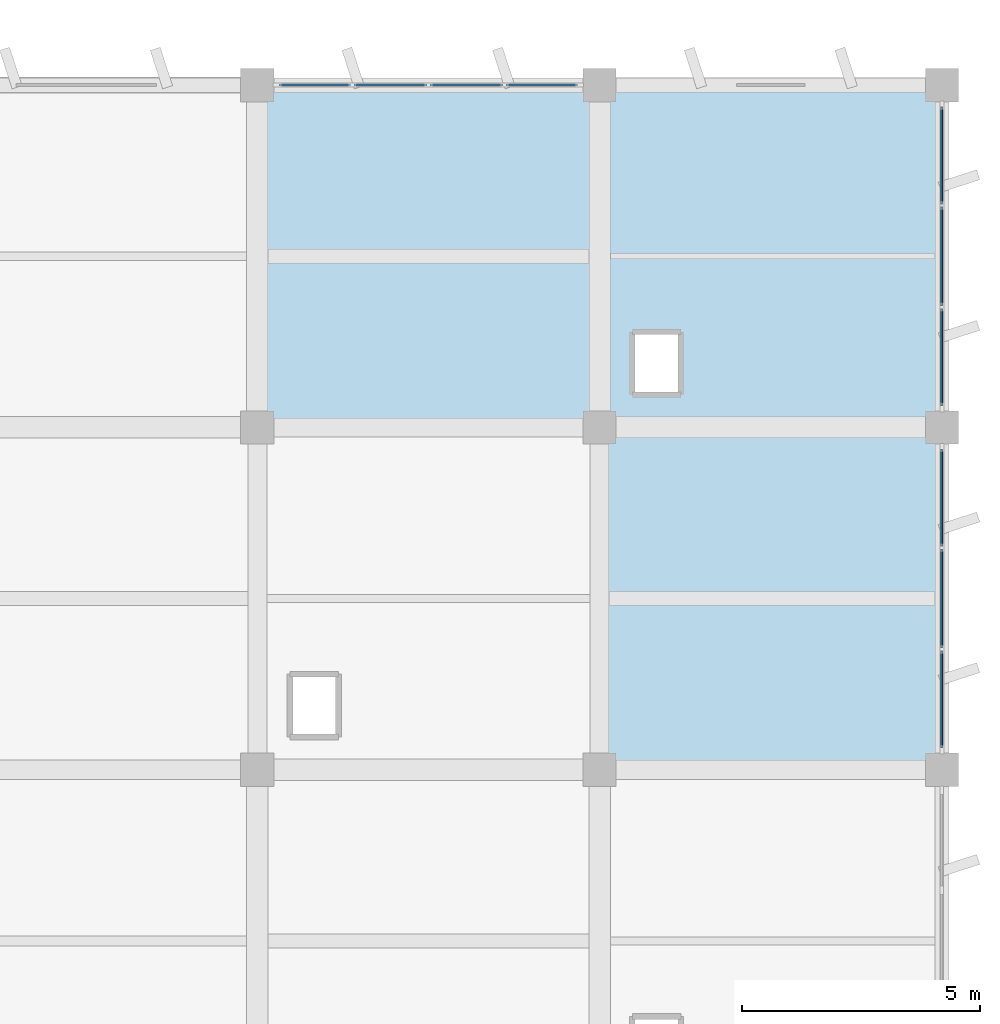
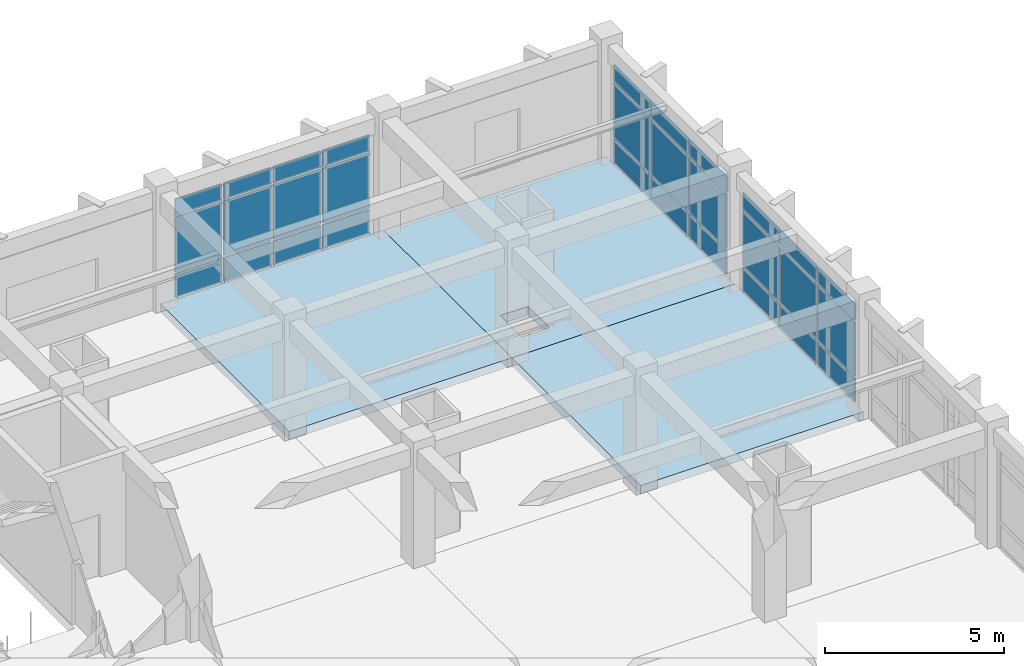
# One storey, part 45 of 70: 30 plates, 3 slabs, 3 elements without a shape of their own.
"""IFC4 building model written with IfcOpenShell, lengths in metres."""

from ifc_helpers import new_model, si_unit, direction, frame, origin, origin_2d, place, context, subcontext, project, spatial, polyline, rectangle, outline, extrude, material, layer, layer_set, type_object, element, aggregate, save


model = new_model("IFC4")

# Units and contexts
model_context = context("Model", 3, precision=1e-05, world=origin(), true_north=direction((0.0, 1.0)))
body_context = subcontext(model_context, "Body", "Model", "MODEL_VIEW")
ifc_project = project(units=[si_unit("LENGTHUNIT", "METRE"), si_unit("AREAUNIT", "SQUARE_METRE"), si_unit("VOLUMEUNIT", "CUBIC_METRE"), si_unit("PLANEANGLEUNIT", "RADIAN"), si_unit("MASSUNIT", "GRAM", prefix="KILO")], contexts=[model_context])

# Site, building, storey
site_placement = place(None, origin())
site = spatial("IfcSite", under=ifc_project, at=site_placement, CompositionType="ELEMENT")
building_placement = place(site_placement, origin())
building = spatial("IfcBuilding", under=site, at=building_placement, Name="Kavelor Marine Aquarium", CompositionType="ELEMENT")
storey_placement = place(building_placement, frame((0.0, 0.0, 9.179931640625)))
storey = spatial("IfcBuildingStorey", under=building, at=storey_placement, Name="L02", CompositionType="ELEMENT", Elevation=9.179931640625)

# Curtain wall, plates
ifc_material_1 = material(Name="Thermally Broken Aluminium and Low-E Glass", Category="aluminium")
ifc_layer_1 = layer(ifc_material_1, 0.300048828125)
ifc_layer_set_1 = layer_set([ifc_layer_1], Name="CW-SYS20")
curtain_wall_type_1 = type_object("IfcCurtainWallType", Name="CW-SYS20", PredefinedType="USERDEFINED", material=ifc_layer_set_1)
curtain_wall_1_placement = place(storey_placement, origin())
curtain_wall_1 = element("IfcCurtainWall", 1, at=curtain_wall_1_placement, inside=storey, type_object=curtain_wall_type_1, Name="cw:y:L02:21_13", ObjectType="Curtain Wall", PredefinedType="USERDEFINED")
ifc_material_2 = material(Name="Solar-Control Double Low-E Glazing", Category="glass")
ifc_layer_2 = layer(ifc_material_2, 0.0400390625)
ifc_layer_set_2 = layer_set([ifc_layer_2], Name="CWP-08")
plate_type_1 = type_object("IfcPlateType", Name="CWP-08", PredefinedType="CURTAIN_PANEL", material=ifc_layer_set_2)
plate_1_placement = place(storey_placement, frame((154.39990234375, 97.879638671875, 0.06494140625), z_axis=(0.0, 0.0, 1.0), x_axis=(0.0, 1.0, 0.0)))
plate_1 = element("IfcPlate", 2, at=plate_1_placement, type_object=plate_type_1, Name="CW20 panel 1.1", PredefinedType="CURTAIN_PANEL", context=body_context, shape_type="SweptSolid", body=[
    extrude(rectangle(XDim=2.0390625, YDim=0.0400390625, at=origin_2d()), origin(), (0.0, 0.0, 1.0), 0.802490234375),
])
plate_2_placement = place(storey_placement, frame((154.39990234375, 97.879638671875, 0.9326171875), z_axis=(0.0, 0.0, 1.0), x_axis=(0.0, 1.0, 0.0)))
plate_2 = element("IfcPlate", 3, at=plate_2_placement, type_object=plate_type_1, Name="CW20 panel 1.2", PredefinedType="CURTAIN_PANEL", context=body_context, shape_type="SweptSolid", body=[
    extrude(rectangle(XDim=2.0390625, YDim=0.0400390625, at=origin_2d()), origin(), (0.0, 0.0, 1.0), 1.864990234375),
])
plate_3_placement = place(storey_placement, frame((154.39990234375, 97.879638671875, 2.86279296875), z_axis=(0.0, 0.0, 1.0), x_axis=(0.0, 1.0, 0.0)))
plate_3 = element("IfcPlate", 4, at=plate_3_placement, type_object=plate_type_1, Name="CW20 panel 1.3", PredefinedType="CURTAIN_PANEL", context=body_context, shape_type="SweptSolid", body=[
    extrude(rectangle(XDim=2.0390625, YDim=0.0400390625, at=origin_2d()), origin(), (0.0, 0.0, 1.0), 0.552490234375),
])
plate_4_placement = place(storey_placement, frame((154.39990234375, 100.0, 0.06494140625), z_axis=(0.0, 0.0, 1.0), x_axis=(0.0, 1.0, 0.0)))
plate_4 = element("IfcPlate", 5, at=plate_4_placement, type_object=plate_type_1, Name="CW20 panel 2.1", PredefinedType="CURTAIN_PANEL", context=body_context, shape_type="SweptSolid", body=[
    extrude(rectangle(XDim=2.07177734375, YDim=0.0400390625, at=origin_2d()), origin(), (0.0, 0.0, 1.0), 0.802490234375),
])
plate_5_placement = place(storey_placement, frame((154.39990234375, 100.0, 0.9326171875), z_axis=(0.0, 0.0, 1.0), x_axis=(0.0, 1.0, 0.0)))
plate_5 = element("IfcPlate", 6, at=plate_5_placement, type_object=plate_type_1, Name="CW20 panel 2.2", PredefinedType="CURTAIN_PANEL", context=body_context, shape_type="SweptSolid", body=[
    extrude(rectangle(XDim=2.07177734375, YDim=0.0400390625, at=origin_2d()), origin(), (0.0, 0.0, 1.0), 1.864990234375),
])
plate_6_placement = place(storey_placement, frame((154.39990234375, 100.0, 2.86279296875), z_axis=(0.0, 0.0, 1.0), x_axis=(0.0, 1.0, 0.0)))
plate_6 = element("IfcPlate", 7, at=plate_6_placement, type_object=plate_type_1, Name="CW20 panel 2.3", PredefinedType="CURTAIN_PANEL", context=body_context, shape_type="SweptSolid", body=[
    extrude(rectangle(XDim=2.07177734375, YDim=0.0400390625, at=origin_2d()), origin(), (0.0, 0.0, 1.0), 0.552490234375),
])
plate_7_placement = place(storey_placement, frame((154.39990234375, 102.120361328125, 0.06494140625), z_axis=(0.0, 0.0, 1.0), x_axis=(0.0, 1.0, 0.0)))
plate_7 = element("IfcPlate", 8, at=plate_7_placement, type_object=plate_type_1, Name="CW20 panel 3.1", PredefinedType="CURTAIN_PANEL", context=body_context, shape_type="SweptSolid", body=[
    extrude(rectangle(XDim=2.0390625, YDim=0.0400390625, at=origin_2d()), origin(), (0.0, 0.0, 1.0), 0.802490234375),
])
plate_8_placement = place(storey_placement, frame((154.39990234375, 102.120361328125, 0.9326171875), z_axis=(0.0, 0.0, 1.0), x_axis=(0.0, 1.0, 0.0)))
plate_8 = element("IfcPlate", 9, at=plate_8_placement, type_object=plate_type_1, Name="CW20 panel 3.2", PredefinedType="CURTAIN_PANEL", context=body_context, shape_type="SweptSolid", body=[
    extrude(rectangle(XDim=2.0390625, YDim=0.0400390625, at=origin_2d()), origin(), (0.0, 0.0, 1.0), 1.864990234375),
])
plate_9_placement = place(storey_placement, frame((154.39990234375, 102.120361328125, 2.86279296875), z_axis=(0.0, 0.0, 1.0), x_axis=(0.0, 1.0, 0.0)))
plate_9 = element("IfcPlate", 10, at=plate_9_placement, type_object=plate_type_1, Name="CW20 panel 3.3", PredefinedType="CURTAIN_PANEL", context=body_context, shape_type="SweptSolid", body=[
    extrude(rectangle(XDim=2.0390625, YDim=0.0400390625, at=origin_2d()), origin(), (0.0, 0.0, 1.0), 0.552490234375),
])
aggregate(curtain_wall_1, [plate_1, plate_2, plate_3, plate_4, plate_5, plate_6, plate_7, plate_8, plate_9])

ifc_material_3 = material(Name="Thermally Broken Aluminium and Low-E Glass", Category="aluminium")
ifc_layer_3 = layer(ifc_material_3, 0.30810546875)
ifc_layer_set_3 = layer_set([ifc_layer_3], Name="CW-SYS21")
curtain_wall_type_2 = type_object("IfcCurtainWallType", Name="CW-SYS21", PredefinedType="USERDEFINED", material=ifc_layer_set_3)
curtain_wall_2_placement = place(storey_placement, origin())
curtain_wall_2 = element("IfcCurtainWall", 11, at=curtain_wall_2_placement, inside=storey, type_object=curtain_wall_type_2, Name="cw:y:L02:21_14", ObjectType="Curtain Wall", PredefinedType="USERDEFINED")
ifc_material_4 = material(Name="Solar-Control Double Low-E Glazing", Category="glass")
ifc_layer_4 = layer(ifc_material_4, 0.0419921875)
ifc_layer_set_4 = layer_set([ifc_layer_4], Name="CWP-09")
plate_type_2 = type_object("IfcPlateType", Name="CWP-09", PredefinedType="CURTAIN_PANEL", material=ifc_layer_set_4)
plate_10_placement = place(storey_placement, frame((154.39990234375, 105.078369140625, 0.06494140625), z_axis=(0.0, 0.0, 1.0), x_axis=(0.0, 1.0, 0.0)))
plate_10 = element("IfcPlate", 12, at=plate_10_placement, type_object=plate_type_2, Name="CW21 panel 1.1", PredefinedType="CURTAIN_PANEL", context=body_context, shape_type="SweptSolid", body=[
    extrude(rectangle(XDim=2.046630859375, YDim=0.0419921875, at=origin_2d()), origin(), (0.0, 0.0, 1.0), 0.802490234375),
])
plate_11_placement = place(storey_placement, frame((154.39990234375, 105.078369140625, 0.9326171875), z_axis=(0.0, 0.0, 1.0), x_axis=(0.0, 1.0, 0.0)))
plate_11 = element("IfcPlate", 13, at=plate_11_placement, type_object=plate_type_2, Name="CW21 panel 1.2", PredefinedType="CURTAIN_PANEL", context=body_context, shape_type="SweptSolid", body=[
    extrude(rectangle(XDim=2.046630859375, YDim=0.0419921875, at=origin_2d()), origin(), (0.0, 0.0, 1.0), 1.864990234375),
])
plate_12_placement = place(storey_placement, frame((154.39990234375, 105.078369140625, 2.86279296875), z_axis=(0.0, 0.0, 1.0), x_axis=(0.0, 1.0, 0.0)))
plate_12 = element("IfcPlate", 14, at=plate_12_placement, type_object=plate_type_2, Name="CW21 panel 1.3", PredefinedType="CURTAIN_PANEL", context=body_context, shape_type="SweptSolid", body=[
    extrude(rectangle(XDim=2.046630859375, YDim=0.0419921875, at=origin_2d()), origin(), (0.0, 0.0, 1.0), 0.552490234375),
])
plate_13_placement = place(storey_placement, frame((154.39990234375, 107.199951171875, 0.06494140625), z_axis=(0.0, 0.0, 1.0), x_axis=(0.0, 1.0, 0.0)))
plate_13 = element("IfcPlate", 15, at=plate_13_placement, type_object=plate_type_2, Name="CW21 panel 2.1", PredefinedType="CURTAIN_PANEL", context=body_context, shape_type="SweptSolid", body=[
    extrude(rectangle(XDim=2.07666015625, YDim=0.0419921875, at=origin_2d()), origin(), (0.0, 0.0, 1.0), 0.802490234375),
])
plate_14_placement = place(storey_placement, frame((154.39990234375, 107.199951171875, 0.9326171875), z_axis=(0.0, 0.0, 1.0), x_axis=(0.0, 1.0, 0.0)))
plate_14 = element("IfcPlate", 16, at=plate_14_placement, type_object=plate_type_2, Name="CW21 panel 2.2", PredefinedType="CURTAIN_PANEL", context=body_context, shape_type="SweptSolid", body=[
    extrude(rectangle(XDim=2.07666015625, YDim=0.0419921875, at=origin_2d()), origin(), (0.0, 0.0, 1.0), 1.864990234375),
])
plate_15_placement = place(storey_placement, frame((154.39990234375, 107.199951171875, 2.86279296875), z_axis=(0.0, 0.0, 1.0), x_axis=(0.0, 1.0, 0.0)))
plate_15 = element("IfcPlate", 17, at=plate_15_placement, type_object=plate_type_2, Name="CW21 panel 2.3", PredefinedType="CURTAIN_PANEL", context=body_context, shape_type="SweptSolid", body=[
    extrude(rectangle(XDim=2.07666015625, YDim=0.0419921875, at=origin_2d()), origin(), (0.0, 0.0, 1.0), 0.552490234375),
])
plate_16_placement = place(storey_placement, frame((154.39990234375, 109.32177734375, 0.06494140625), z_axis=(0.0, 0.0, 1.0), x_axis=(0.0, 1.0, 0.0)))
plate_16 = element("IfcPlate", 18, at=plate_16_placement, type_object=plate_type_2, Name="CW21 panel 3.1", PredefinedType="CURTAIN_PANEL", context=body_context, shape_type="SweptSolid", body=[
    extrude(rectangle(XDim=2.046630859375, YDim=0.0419921875, at=origin_2d()), origin(), (0.0, 0.0, 1.0), 0.802490234375),
])
plate_17_placement = place(storey_placement, frame((154.39990234375, 109.32177734375, 0.9326171875), z_axis=(0.0, 0.0, 1.0), x_axis=(0.0, 1.0, 0.0)))
plate_17 = element("IfcPlate", 19, at=plate_17_placement, type_object=plate_type_2, Name="CW21 panel 3.2", PredefinedType="CURTAIN_PANEL", context=body_context, shape_type="SweptSolid", body=[
    extrude(rectangle(XDim=2.046630859375, YDim=0.0419921875, at=origin_2d()), origin(), (0.0, 0.0, 1.0), 1.864990234375),
])
plate_18_placement = place(storey_placement, frame((154.39990234375, 109.32177734375, 2.86279296875), z_axis=(0.0, 0.0, 1.0), x_axis=(0.0, 1.0, 0.0)))
plate_18 = element("IfcPlate", 20, at=plate_18_placement, type_object=plate_type_2, Name="CW21 panel 3.3", PredefinedType="CURTAIN_PANEL", context=body_context, shape_type="SweptSolid", body=[
    extrude(rectangle(XDim=2.046630859375, YDim=0.0419921875, at=origin_2d()), origin(), (0.0, 0.0, 1.0), 0.552490234375),
])
aggregate(curtain_wall_2, [plate_10, plate_11, plate_12, plate_13, plate_14, plate_15, plate_16, plate_17, plate_18])

ifc_material_5 = material(Name="Thermally Broken Aluminium and Low-E Glass", Category="aluminium")
ifc_layer_5 = layer(ifc_material_5, 0.22802734375)
ifc_layer_set_5 = layer_set([ifc_layer_5], Name="CW-SYS11")
curtain_wall_type_3 = type_object("IfcCurtainWallType", Name="CW-SYS11", PredefinedType="USERDEFINED", material=ifc_layer_set_5)
curtain_wall_3_placement = place(storey_placement, origin())
curtain_wall_3 = element("IfcCurtainWall", 21, at=curtain_wall_3_placement, inside=storey, type_object=curtain_wall_type_3, Name="cw:x:L02:19_15", ObjectType="Curtain Wall", PredefinedType="USERDEFINED")
ifc_material_6 = material(Name="Solar-Control Double Low-E Glazing", Category="glass")
ifc_layer_6 = layer(ifc_material_6, 0.0458984375)
ifc_layer_set_6 = layer_set([ifc_layer_6], Name="CWP-11")
plate_type_3 = type_object("IfcPlateType", Name="CWP-11", PredefinedType="CURTAIN_PANEL", material=ifc_layer_set_6)
plate_19_placement = place(storey_placement, frame((141.21240234375, 110.800048828125, 0.06005859375), z_axis=(0.0, 0.0, 1.0), x_axis=(1.0, 0.0, 0.0)))
plate_19 = element("IfcPlate", 22, at=plate_19_placement, type_object=plate_type_3, Name="CW11 panel 1.1", PredefinedType="CURTAIN_PANEL", context=body_context, shape_type="SweptSolid", body=[
    extrude(rectangle(XDim=1.5048828125, YDim=0.0458984375, at=origin_2d()), origin(), (0.0, 0.0, 1.0), 0.81005859375),
])
plate_20_placement = place(storey_placement, frame((141.21240234375, 110.800048828125, 0.929931640625), z_axis=(0.0, 0.0, 1.0), x_axis=(1.0, 0.0, 0.0)))
plate_20 = element("IfcPlate", 23, at=plate_20_placement, type_object=plate_type_3, Name="CW11 panel 1.2", PredefinedType="CURTAIN_PANEL", context=body_context, shape_type="SweptSolid", body=[
    extrude(rectangle(XDim=1.5048828125, YDim=0.0458984375, at=origin_2d()), origin(), (0.0, 0.0, 1.0), 1.8701171875),
])
plate_21_placement = place(storey_placement, frame((141.21240234375, 110.800048828125, 2.860107421875), z_axis=(0.0, 0.0, 1.0), x_axis=(1.0, 0.0, 0.0)))
plate_21 = element("IfcPlate", 24, at=plate_21_placement, type_object=plate_type_3, Name="CW11 panel 1.3", PredefinedType="CURTAIN_PANEL", context=body_context, shape_type="SweptSolid", body=[
    extrude(rectangle(XDim=1.5048828125, YDim=0.0458984375, at=origin_2d()), origin(), (0.0, 0.0, 1.0), 0.56005859375),
])
plate_22_placement = place(storey_placement, frame((142.798828125, 110.800048828125, 0.06005859375), z_axis=(0.0, 0.0, 1.0), x_axis=(1.0, 0.0, 0.0)))
plate_22 = element("IfcPlate", 25, at=plate_22_placement, type_object=plate_type_3, Name="CW11 panel 2.1", PredefinedType="CURTAIN_PANEL", context=body_context, shape_type="SweptSolid", body=[
    extrude(rectangle(XDim=1.53759765625, YDim=0.0458984375, at=origin_2d()), origin(), (0.0, 0.0, 1.0), 0.81005859375),
])
plate_23_placement = place(storey_placement, frame((142.798828125, 110.800048828125, 0.929931640625), z_axis=(0.0, 0.0, 1.0), x_axis=(1.0, 0.0, 0.0)))
plate_23 = element("IfcPlate", 26, at=plate_23_placement, type_object=plate_type_3, Name="CW11 panel 2.2", PredefinedType="CURTAIN_PANEL", context=body_context, shape_type="SweptSolid", body=[
    extrude(rectangle(XDim=1.53759765625, YDim=0.0458984375, at=origin_2d()), origin(), (0.0, 0.0, 1.0), 1.8701171875),
])
plate_24_placement = place(storey_placement, frame((142.798828125, 110.800048828125, 2.860107421875), z_axis=(0.0, 0.0, 1.0), x_axis=(1.0, 0.0, 0.0)))
plate_24 = element("IfcPlate", 27, at=plate_24_placement, type_object=plate_type_3, Name="CW11 panel 2.3", PredefinedType="CURTAIN_PANEL", context=body_context, shape_type="SweptSolid", body=[
    extrude(rectangle(XDim=1.53759765625, YDim=0.0458984375, at=origin_2d()), origin(), (0.0, 0.0, 1.0), 0.56005859375),
])
plate_25_placement = place(storey_placement, frame((144.4013671875, 110.800048828125, 0.06005859375), z_axis=(0.0, 0.0, 1.0), x_axis=(1.0, 0.0, 0.0)))
plate_25 = element("IfcPlate", 28, at=plate_25_placement, type_object=plate_type_3, Name="CW11 panel 3.1", PredefinedType="CURTAIN_PANEL", context=body_context, shape_type="SweptSolid", body=[
    extrude(rectangle(XDim=1.53759765625, YDim=0.0458984375, at=origin_2d()), origin(), (0.0, 0.0, 1.0), 0.81005859375),
])
plate_26_placement = place(storey_placement, frame((144.4013671875, 110.800048828125, 0.929931640625), z_axis=(0.0, 0.0, 1.0), x_axis=(1.0, 0.0, 0.0)))
plate_26 = element("IfcPlate", 29, at=plate_26_placement, type_object=plate_type_3, Name="CW11 panel 3.2", PredefinedType="CURTAIN_PANEL", context=body_context, shape_type="SweptSolid", body=[
    extrude(rectangle(XDim=1.53759765625, YDim=0.0458984375, at=origin_2d()), origin(), (0.0, 0.0, 1.0), 1.8701171875),
])
plate_27_placement = place(storey_placement, frame((144.4013671875, 110.800048828125, 2.860107421875), z_axis=(0.0, 0.0, 1.0), x_axis=(1.0, 0.0, 0.0)))
plate_27 = element("IfcPlate", 30, at=plate_27_placement, type_object=plate_type_3, Name="CW11 panel 3.3", PredefinedType="CURTAIN_PANEL", context=body_context, shape_type="SweptSolid", body=[
    extrude(rectangle(XDim=1.53759765625, YDim=0.0458984375, at=origin_2d()), origin(), (0.0, 0.0, 1.0), 0.56005859375),
])
plate_28_placement = place(storey_placement, frame((145.987548828125, 110.800048828125, 0.06005859375), z_axis=(0.0, 0.0, 1.0), x_axis=(1.0, 0.0, 0.0)))
plate_28 = element("IfcPlate", 31, at=plate_28_placement, type_object=plate_type_3, Name="CW11 panel 4.1", PredefinedType="CURTAIN_PANEL", context=body_context, shape_type="SweptSolid", body=[
    extrude(rectangle(XDim=1.5048828125, YDim=0.0458984375, at=origin_2d()), origin(), (0.0, 0.0, 1.0), 0.81005859375),
])
plate_29_placement = place(storey_placement, frame((145.987548828125, 110.800048828125, 0.929931640625), z_axis=(0.0, 0.0, 1.0), x_axis=(1.0, 0.0, 0.0)))
plate_29 = element("IfcPlate", 32, at=plate_29_placement, type_object=plate_type_3, Name="CW11 panel 4.2", PredefinedType="CURTAIN_PANEL", context=body_context, shape_type="SweptSolid", body=[
    extrude(rectangle(XDim=1.5048828125, YDim=0.0458984375, at=origin_2d()), origin(), (0.0, 0.0, 1.0), 1.8701171875),
])
plate_30_placement = place(storey_placement, frame((145.987548828125, 110.800048828125, 2.860107421875), z_axis=(0.0, 0.0, 1.0), x_axis=(1.0, 0.0, 0.0)))
plate_30 = element("IfcPlate", 33, at=plate_30_placement, type_object=plate_type_3, Name="CW11 panel 4.3", PredefinedType="CURTAIN_PANEL", context=body_context, shape_type="SweptSolid", body=[
    extrude(rectangle(XDim=1.5048828125, YDim=0.0458984375, at=origin_2d()), origin(), (0.0, 0.0, 1.0), 0.56005859375),
])
aggregate(curtain_wall_3, [plate_19, plate_20, plate_21, plate_22, plate_23, plate_24, plate_25, plate_26, plate_27, plate_28, plate_29, plate_30])

# Slabs
ifc_material_7 = material(Name="Concrete C40/50", Category="concrete")
ifc_layer_7 = layer(ifc_material_7, 0.300048828125)
ifc_layer_set_7 = layer_set([ifc_layer_7], Name="SL-FL1")
slab_type_1 = type_object("IfcSlabType", Name="SL-FL1", PredefinedType="FLOOR", material=ifc_layer_set_7)
slab_1_placement = place(storey_placement, frame((0.0, 0.0, -0.300048828125)))
element("IfcSlab", 34, at=slab_1_placement, inside=storey, type_object=slab_type_1, Name="slab:L02:20_14", PredefinedType="FLOOR", context=body_context, shape_type="SweptSolid", body=[
    extrude(outline(polyline([(147.199951171875, 103.60009765625), (154.39990234375, 103.60009765625), (154.39990234375, 110.800048828125), (147.199951171875, 110.800048828125), (147.199951171875, 103.60009765625)]), holes=[polyline([(147.949951171875, 104.35009765625), (148.85009765625, 104.35009765625), (148.85009765625, 105.550048828125), (147.949951171875, 105.550048828125), (147.949951171875, 104.35009765625)])]), origin(), (0.0, 0.0, 1.0), 0.300048828125),
])
ifc_material_8 = material(Name="Concrete C40/50", Category="concrete")
ifc_layer_8 = layer(ifc_material_8, 0.280029296875)
ifc_layer_set_8 = layer_set([ifc_layer_8], Name="SL-FL2")
slab_type_2 = type_object("IfcSlabType", Name="SL-FL2", PredefinedType="FLOOR", material=ifc_layer_set_8)
slab_2_placement = place(storey_placement, frame((0.0, 0.0, -0.280029296875)))
element("IfcSlab", 35, at=slab_2_placement, inside=storey, type_object=slab_type_2, Name="slab:L02:19_14", PredefinedType="FLOOR", context=body_context, shape_type="SweptSolid", body=[
    extrude(outline(polyline([(140.0, 103.60009765625), (147.199951171875, 103.60009765625), (147.199951171875, 110.800048828125), (140.0, 110.800048828125), (140.0, 103.60009765625)])), origin(), (0.0, 0.0, 1.0), 0.280029296875),
])
slab_3_placement = place(storey_placement, frame((0.0, 0.0, -0.280029296875)))
element("IfcSlab", 36, at=slab_3_placement, inside=storey, type_object=slab_type_2, Name="slab:L02:20_13", PredefinedType="FLOOR", context=body_context, shape_type="SweptSolid", body=[
    extrude(outline(polyline([(147.199951171875, 96.39990234375), (154.39990234375, 96.39990234375), (154.39990234375, 103.60009765625), (147.199951171875, 103.60009765625), (147.199951171875, 96.39990234375)])), origin(), (0.0, 0.0, 1.0), 0.280029296875),
])

save(model, "model.ifc")
